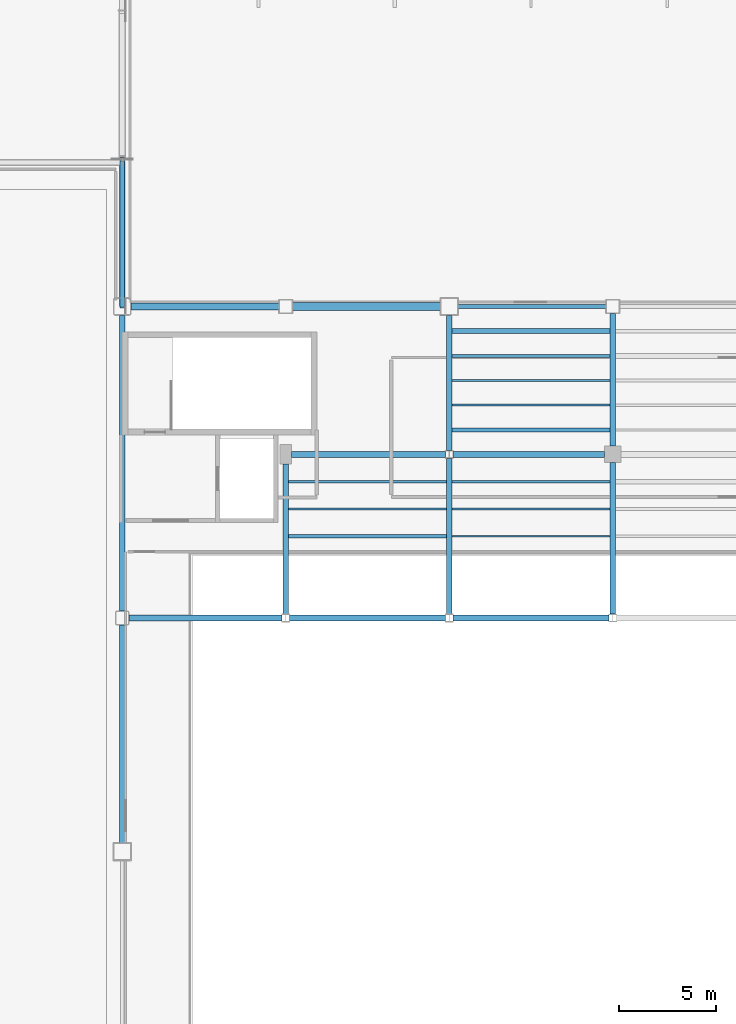
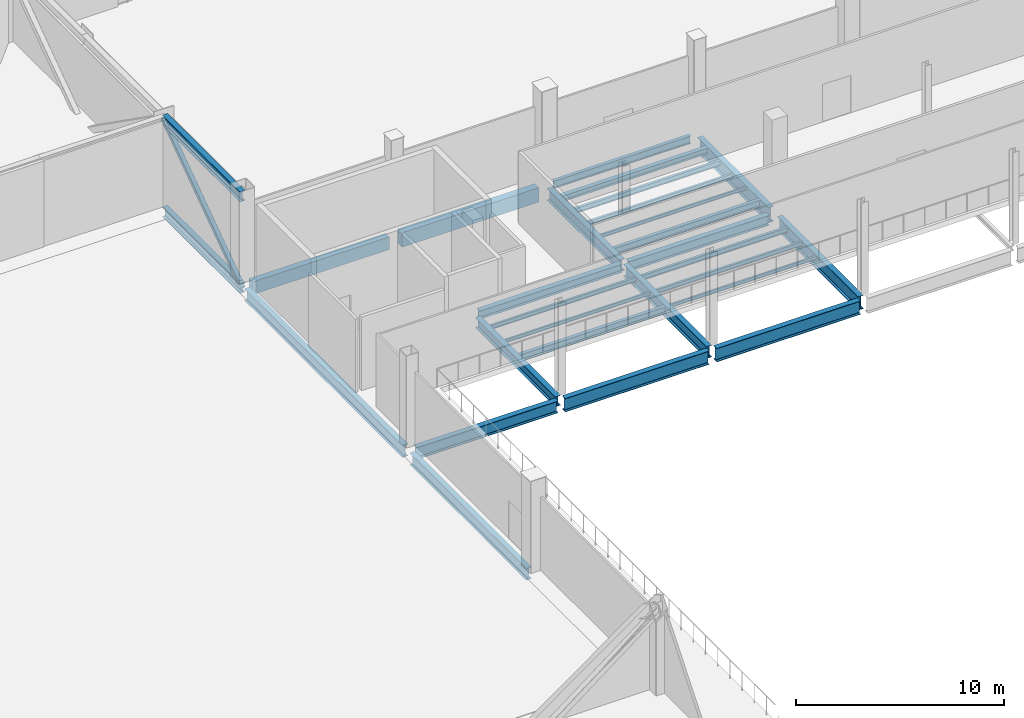
# One storey, part 21 of 135: 28 beams, 1 member.
"""IFC4 building model written with IfcOpenShell, lengths in metres."""

from ifc_helpers import new_model, si_unit, direction, frame, origin, origin_2d, place, context, subcontext, project, spatial, rectangle, hollow_rectangle, i_section, extrude, material, material_profile, profile_set, type_object, element, save


model = new_model("IFC4")

# Units and contexts
model_context = context("Model", 3, precision=1e-05, world=origin(), true_north=direction((0.0, 1.0)))
body_context = subcontext(model_context, "Body", "Model", "MODEL_VIEW")
ifc_project = project(units=[si_unit("LENGTHUNIT", "METRE"), si_unit("AREAUNIT", "SQUARE_METRE"), si_unit("VOLUMEUNIT", "CUBIC_METRE"), si_unit("PLANEANGLEUNIT", "RADIAN"), si_unit("MASSUNIT", "GRAM", prefix="KILO")], contexts=[model_context])

# Site, building, storey
site_placement = place(None, origin())
site = spatial("IfcSite", under=ifc_project, at=site_placement, CompositionType="ELEMENT")
building_placement = place(site_placement, origin())
building = spatial("IfcBuilding", under=site, at=building_placement, Name="Larkvane Passage Sports Hall", CompositionType="ELEMENT")
storey_placement = place(building_placement, frame((0.0, 0.0, 16.800048828125)))
storey = spatial("IfcBuildingStorey", under=building, at=storey_placement, Name="L03", CompositionType="ELEMENT", Elevation=16.800048828125)

# Beams
ifc_material_1 = material(Name="Steel S355JR", Category="steel")
ifc_material_profile_1 = material_profile(ifc_material_1, i_section(OverallWidth=0.300048828125, OverallDepth=0.488037109375, WebThickness=0.010986328125, FlangeThickness=0.01806640625, FilletRadius=0.02197265625, at=origin_2d()), Name="H-488x300x11x18")
ifc_profile_set_1 = profile_set([ifc_material_profile_1], Name="Steel S355JR")
beam_type_1 = type_object("IfcBeamType", Name="BM-STL-H488", PredefinedType="BEAM", material=ifc_profile_set_1)
beam_1_placement = place(storey_placement, frame((43.5, 84.0, -0.583984375), z_axis=(1.0, 0.0, 0.0), x_axis=(0.0, 1.0, 0.0)))
element("IfcBeam", 1, at=beam_1_placement, inside=storey, type_object=beam_type_1, Name="Girder BM5-X-L03-K-1005", PredefinedType="BEAM", context=body_context, shape_type="SweptSolid", body=[
    extrude(i_section(OverallWidth=0.300048828125, OverallDepth=0.488037109375, WebThickness=0.010986328125, FlangeThickness=0.01806640625, FilletRadius=0.02197265625, at=origin_2d()), origin(), (0.0, 0.0, 1.0), 7.89990234375),
])
ifc_material_2 = material(Name="Steel S460N", Category="steel")
ifc_material_profile_2 = material_profile(ifc_material_2, i_section(OverallWidth=0.300048828125, OverallDepth=0.58203125, WebThickness=0.011962890625, FlangeThickness=0.01708984375, FilletRadius=0.02197265625, at=origin_2d()), Name="H-582x300x12x17")
ifc_profile_set_2 = profile_set([ifc_material_profile_2], Name="Steel S460N")
beam_type_2 = type_object("IfcBeamType", Name="BM-STL-H582", PredefinedType="BEAM", material=ifc_profile_set_2)
beam_2_placement = place(storey_placement, frame((51.800048828125, 84.0, -0.631103515625), z_axis=(1.0, 0.0, 0.0), x_axis=(0.0, 1.0, 0.0)))
element("IfcBeam", 2, at=beam_2_placement, inside=storey, type_object=beam_type_2, Name="Girder BM5-X-L03-K-1006", PredefinedType="BEAM", context=body_context, shape_type="SweptSolid", body=[
    extrude(i_section(OverallWidth=0.300048828125, OverallDepth=0.58203125, WebThickness=0.011962890625, FlangeThickness=0.01708984375, FilletRadius=0.02197265625, at=origin_2d()), origin(), (0.0, 0.0, 1.0), 7.77490234375),
])
ifc_material_profile_3 = material_profile(ifc_material_2, i_section(OverallWidth=0.300048828125, OverallDepth=0.587890625, WebThickness=0.011962890625, FlangeThickness=0.02001953125, FilletRadius=0.02197265625, at=origin_2d()), Name="H-588x300x12x20")
ifc_profile_set_3 = profile_set([ifc_material_profile_3], Name="Steel S460N")
beam_type_3 = type_object("IfcBeamType", Name="BM-STL-H588", PredefinedType="BEAM", material=ifc_profile_set_3)
beam_3_placement = place(storey_placement, frame((43.199951171875, 75.81396484375, -0.634033203125), z_axis=(0.0, 1.0, 0.0), x_axis=(-1.0, 0.0, 0.0)))
element("IfcBeam", 3, at=beam_3_placement, inside=storey, type_object=beam_type_3, Name="Girder BM5-Y-L03-7-1020", PredefinedType="BEAM", context=body_context, shape_type="SweptSolid", body=[
    extrude(i_section(OverallWidth=0.300048828125, OverallDepth=0.587890625, WebThickness=0.011962890625, FlangeThickness=0.02001953125, FilletRadius=0.02197265625, at=origin_2d()), origin(), (0.0, 0.0, 1.0), 7.68603515625),
])
for number, where, z_axis, x_axis, name in (
    (4, (34.800048828125, 91.60009765625, -0.614013671875), (0.0, 1.0, 0.0), (-1.0, 0.0, 0.0), "Cantilever truss CT-N3A-1 bottom chord 1"),
    (5, (34.800048828125, 91.60009765625, 4.755859375), (0.0, 1.0, 0.0), (-1.0, 0.0, 0.0), "Cantilever truss CT-N3A-1 top chord 1"),
):
    element("IfcBeam", number, at=place(storey_placement, frame(where, z_axis=z_axis, x_axis=x_axis)), inside=storey, type_object=beam_type_3, Name=name, PredefinedType="BEAM", context=body_context, shape_type="SweptSolid", body=[
        extrude(i_section(OverallWidth=0.300048828125, OverallDepth=0.587890625, WebThickness=0.011962890625, FlangeThickness=0.02001953125, FilletRadius=0.02197265625, at=origin_2d()), origin(), (0.0, 0.0, 1.0), 7.44482421875),
    ])
ifc_material_profile_4 = material_profile(ifc_material_2, i_section(OverallWidth=0.300048828125, OverallDepth=0.69189453125, WebThickness=0.012939453125, FlangeThickness=0.02001953125, FilletRadius=0.02197265625, at=origin_2d()), Name="H-692x300x13x20")
ifc_profile_set_4 = profile_set([ifc_material_profile_4], Name="Steel S460N")
beam_type_4 = type_object("IfcBeamType", Name="BM-STL-H692", PredefinedType="BEAM", material=ifc_profile_set_4)
beam_4_placement = place(storey_placement, frame((34.800048828125, 64.050048828125, -0.68603515625), z_axis=(0.0, 1.0, 0.0), x_axis=(-1.0, 0.0, 0.0)))
element("IfcBeam", 6, at=beam_4_placement, inside=storey, type_object=beam_type_4, Name="Girder BM5-Y-L03-6-1018", PredefinedType="BEAM", context=body_context, shape_type="SweptSolid", body=[
    extrude(i_section(OverallWidth=0.300048828125, OverallDepth=0.69189453125, WebThickness=0.012939453125, FlangeThickness=0.02001953125, FilletRadius=0.02197265625, at=origin_2d()), origin(), (0.0, 0.0, 1.0), 11.199951171875),
])
beam_5_placement = place(storey_placement, frame((51.60009765625, 75.806884765625, -0.68603515625), z_axis=(0.0, 1.0, 0.0), x_axis=(-1.0, 0.0, 0.0)))
element("IfcBeam", 7, at=beam_5_placement, inside=storey, type_object=beam_type_4, Name="Girder BM5-Y-L03-8-1022", PredefinedType="BEAM", context=body_context, shape_type="SweptSolid", body=[
    extrude(i_section(OverallWidth=0.300048828125, OverallDepth=0.69189453125, WebThickness=0.012939453125, FlangeThickness=0.02001953125, FilletRadius=0.02197265625, at=origin_2d()), origin(), (0.0, 0.0, 1.0), 7.9931640625),
])
ifc_material_profile_5 = material_profile(ifc_material_2, i_section(OverallWidth=0.300048828125, OverallDepth=0.699951171875, WebThickness=0.012939453125, FlangeThickness=0.02392578125, FilletRadius=0.02197265625, at=origin_2d()), Name="H-700x300x13x24")
ifc_profile_set_5 = profile_set([ifc_material_profile_5], Name="Steel S460N")
beam_type_5 = type_object("IfcBeamType", Name="BM-STL-H700", PredefinedType="BEAM", material=ifc_profile_set_5)
beam_6_placement = place(storey_placement, frame((35.14990234375, 75.60009765625, -0.68994140625), z_axis=(1.0, 0.0, 0.0), x_axis=(0.0, 1.0, 0.0)))
element("IfcBeam", 8, at=beam_6_placement, inside=storey, type_object=beam_type_5, Name="Girder BM5-X-L03-J-0997", PredefinedType="BEAM", context=body_context, shape_type="SweptSolid", body=[
    extrude(i_section(OverallWidth=0.300048828125, OverallDepth=0.699951171875, WebThickness=0.012939453125, FlangeThickness=0.02392578125, FilletRadius=0.02197265625, at=origin_2d()), origin(), (0.0, 0.0, 1.0), 7.8466796875),
])
beam_7_placement = place(storey_placement, frame((34.800048828125, 75.949951171875, -0.68994140625), z_axis=(0.0, 1.0, 0.0), x_axis=(-1.0, 0.0, 0.0)))
element("IfcBeam", 9, at=beam_7_placement, inside=storey, type_object=beam_type_5, Name="Girder BM5-Y-L03-6-1019", PredefinedType="BEAM", context=body_context, shape_type="SweptSolid", body=[
    extrude(i_section(OverallWidth=0.300048828125, OverallDepth=0.699951171875, WebThickness=0.012939453125, FlangeThickness=0.02392578125, FilletRadius=0.02197265625, at=origin_2d()), origin(), (0.0, 0.0, 1.0), 15.199951171875),
])
beam_8_placement = place(storey_placement, frame((51.60009765625, 84.199951171875, -0.68994140625), z_axis=(0.0, 1.0, 0.0), x_axis=(-1.0, 0.0, 0.0)))
element("IfcBeam", 10, at=beam_8_placement, inside=storey, type_object=beam_type_5, Name="Girder BM5-Y-L03-8-1023", PredefinedType="BEAM", context=body_context, shape_type="SweptSolid", body=[
    extrude(i_section(OverallWidth=0.300048828125, OverallDepth=0.699951171875, WebThickness=0.012939453125, FlangeThickness=0.02392578125, FilletRadius=0.02197265625, at=origin_2d()), origin(), (0.0, 0.0, 1.0), 6.949951171875),
])
ifc_material_profile_6 = material_profile(ifc_material_2, i_section(OverallWidth=0.300048828125, OverallDepth=0.7919921875, WebThickness=0.013916015625, FlangeThickness=0.02197265625, FilletRadius=0.02197265625, at=origin_2d()), Name="H-792x300x14x22")
ifc_profile_set_6 = profile_set([ifc_material_profile_6], Name="Steel S460N")
beam_type_6 = type_object("IfcBeamType", Name="BM-STL-H792", PredefinedType="BEAM", material=ifc_profile_set_6)
beam_9_placement = place(storey_placement, frame((43.403564453125, 75.60009765625, -0.736083984375), z_axis=(1.0, 0.0, 0.0), x_axis=(0.0, 1.0, 0.0)))
element("IfcBeam", 11, at=beam_9_placement, inside=storey, type_object=beam_type_6, Name="Girder BM5-X-L03-J-0998", PredefinedType="BEAM", context=body_context, shape_type="SweptSolid", body=[
    extrude(i_section(OverallWidth=0.300048828125, OverallDepth=0.7919921875, WebThickness=0.013916015625, FlangeThickness=0.02197265625, FilletRadius=0.02197265625, at=origin_2d()), origin(), (0.0, 0.0, 1.0), 7.993896484375),
])
ifc_material_profile_7 = material_profile(ifc_material_2, i_section(OverallWidth=0.300048828125, OverallDepth=0.800048828125, WebThickness=0.013916015625, FlangeThickness=0.02587890625, FilletRadius=0.02197265625, at=origin_2d()), Name="H-800x300x14x26")
ifc_profile_set_7 = profile_set([ifc_material_profile_7], Name="Steel S460N")
beam_type_7 = type_object("IfcBeamType", Name="BM-STL-H800", PredefinedType="BEAM", material=ifc_profile_set_7)
beam_10_placement = place(storey_placement, frame((51.802490234375, 75.60009765625, -0.739990234375), z_axis=(1.0, 0.0, 0.0), x_axis=(0.0, 1.0, 0.0)))
element("IfcBeam", 12, at=beam_10_placement, inside=storey, type_object=beam_type_7, Name="Girder BM5-X-L03-J-0999", PredefinedType="BEAM", context=body_context, shape_type="SweptSolid", body=[
    extrude(i_section(OverallWidth=0.300048828125, OverallDepth=0.800048828125, WebThickness=0.013916015625, FlangeThickness=0.02587890625, FilletRadius=0.02197265625, at=origin_2d()), origin(), (0.0, 0.0, 1.0), 7.99755859375),
])
beam_11_placement = place(storey_placement, frame((60.0, 75.800048828125, -0.739990234375), z_axis=(0.0, 1.0, 0.0), x_axis=(-1.0, 0.0, 0.0)))
element("IfcBeam", 13, at=beam_11_placement, inside=storey, type_object=beam_type_7, Name="Girder BM5-Y-L03-9-1025", PredefinedType="BEAM", context=body_context, shape_type="SweptSolid", body=[
    extrude(i_section(OverallWidth=0.300048828125, OverallDepth=0.800048828125, WebThickness=0.013916015625, FlangeThickness=0.02587890625, FilletRadius=0.02197265625, at=origin_2d()), origin(), (0.0, 0.0, 1.0), 7.77490234375),
])
ifc_material_profile_8 = material_profile(ifc_material_2, i_section(OverallWidth=0.299072265625, OverallDepth=0.889892578125, WebThickness=0.014892578125, FlangeThickness=0.02294921875, FilletRadius=0.02197265625, at=origin_2d()), Name="H-890x299x15x23")
ifc_profile_set_8 = profile_set([ifc_material_profile_8], Name="Steel S460N")
beam_type_8 = type_object("IfcBeamType", Name="BM-STL-H890", PredefinedType="BEAM", material=ifc_profile_set_8)
beam_12_placement = place(storey_placement, frame((60.0, 84.425048828125, -0.78515625), z_axis=(0.0, 1.0, 0.0), x_axis=(-1.0, 0.0, 0.0)))
element("IfcBeam", 14, at=beam_12_placement, inside=storey, type_object=beam_type_8, Name="Girder BM5-Y-L03-9-1026", PredefinedType="BEAM", context=body_context, shape_type="SweptSolid", body=[
    extrude(i_section(OverallWidth=0.299072265625, OverallDepth=0.889892578125, WebThickness=0.014892578125, FlangeThickness=0.02294921875, FilletRadius=0.02197265625, at=origin_2d()), origin(), (0.0, 0.0, 1.0), 6.824951171875),
])
ifc_material_profile_9 = material_profile(ifc_material_1, i_section(OverallWidth=0.10009765625, OverallDepth=0.199951171875, WebThickness=0.005615234375, FlangeThickness=0.008056640625, FilletRadius=0.008056640625, at=origin_2d()), Name="H-200x100x5.5x8")
ifc_profile_set_9 = profile_set([ifc_material_profile_9], Name="Steel S355JR")
beam_type_9 = type_object("IfcBeamType", Name="JST-STL-H200", PredefinedType="JOIST", material=ifc_profile_set_9)
beam_13_placement = place(storey_placement, frame((43.35009765625, 81.199951171875, -0.43994140625), z_axis=(1.0, 0.0, 0.0), x_axis=(0.0, 1.0, 0.0)))
element("IfcBeam", 15, at=beam_13_placement, inside=storey, type_object=beam_type_9, Name="Composite joist L03 7/J-4", PredefinedType="JOIST", context=body_context, shape_type="SweptSolid", body=[
    extrude(i_section(OverallWidth=0.10009765625, OverallDepth=0.199951171875, WebThickness=0.005615234375, FlangeThickness=0.008056640625, FilletRadius=0.008056640625, at=origin_2d()), origin(), (0.0, 0.0, 1.0), 8.099853515625),
])
beam_14_placement = place(storey_placement, frame((51.75, 79.800048828125, -0.43994140625), z_axis=(1.0, 0.0, 0.0), x_axis=(0.0, 1.0, 0.0)))
element("IfcBeam", 16, at=beam_14_placement, inside=storey, type_object=beam_type_9, Name="Composite joist L03 8/J-3", PredefinedType="JOIST", context=body_context, shape_type="SweptSolid", body=[
    extrude(i_section(OverallWidth=0.10009765625, OverallDepth=0.199951171875, WebThickness=0.005615234375, FlangeThickness=0.008056640625, FilletRadius=0.008056640625, at=origin_2d()), origin(), (0.0, 0.0, 1.0), 8.10009765625),
])
beam_15_placement = place(storey_placement, frame((51.75, 86.533447265625, -0.43994140625), z_axis=(1.0, 0.0, 0.0), x_axis=(0.0, 1.0, 0.0)))
element("IfcBeam", 17, at=beam_15_placement, inside=storey, type_object=beam_type_9, Name="Composite joist L03 8/K-2", PredefinedType="JOIST", context=body_context, shape_type="SweptSolid", body=[
    extrude(i_section(OverallWidth=0.10009765625, OverallDepth=0.199951171875, WebThickness=0.005615234375, FlangeThickness=0.008056640625, FilletRadius=0.008056640625, at=origin_2d()), origin(), (0.0, 0.0, 1.0), 8.1005859375),
])
ifc_material_profile_10 = material_profile(ifc_material_1, i_section(OverallWidth=0.125, OverallDepth=0.25, WebThickness=0.006103515625, FlangeThickness=0.009033203125, FilletRadius=0.008056640625, at=origin_2d()), Name="H-250x125x6x9")
ifc_profile_set_10 = profile_set([ifc_material_profile_10], Name="Steel S355JR")
beam_type_10 = type_object("IfcBeamType", Name="JST-STL-H250", PredefinedType="JOIST", material=ifc_profile_set_10)
beam_16_placement = place(storey_placement, frame((43.35009765625, 82.60009765625, -0.465087890625), z_axis=(1.0, 0.0, 0.0), x_axis=(0.0, 1.0, 0.0)))
element("IfcBeam", 18, at=beam_16_placement, inside=storey, type_object=beam_type_10, Name="Composite joist L03 7/J-5", PredefinedType="JOIST", context=body_context, shape_type="SweptSolid", body=[
    extrude(i_section(OverallWidth=0.125, OverallDepth=0.25, WebThickness=0.006103515625, FlangeThickness=0.009033203125, FilletRadius=0.008056640625, at=origin_2d()), origin(), (0.0, 0.0, 1.0), 8.099853515625),
])
beam_17_placement = place(storey_placement, frame((51.75, 81.199951171875, -0.465087890625), z_axis=(1.0, 0.0, 0.0), x_axis=(0.0, 1.0, 0.0)))
element("IfcBeam", 19, at=beam_17_placement, inside=storey, type_object=beam_type_10, Name="Composite joist L03 8/J-4", PredefinedType="JOIST", context=body_context, shape_type="SweptSolid", body=[
    extrude(i_section(OverallWidth=0.125, OverallDepth=0.25, WebThickness=0.006103515625, FlangeThickness=0.009033203125, FilletRadius=0.008056640625, at=origin_2d()), origin(), (0.0, 0.0, 1.0), 8.10009765625),
])
beam_18_placement = place(storey_placement, frame((51.75, 87.800048828125, -0.465087890625), z_axis=(1.0, 0.0, 0.0), x_axis=(0.0, 1.0, 0.0)))
element("IfcBeam", 20, at=beam_18_placement, inside=storey, type_object=beam_type_10, Name="Composite joist L03 8/K-3", PredefinedType="JOIST", context=body_context, shape_type="SweptSolid", body=[
    extrude(i_section(OverallWidth=0.125, OverallDepth=0.25, WebThickness=0.006103515625, FlangeThickness=0.009033203125, FilletRadius=0.008056640625, at=origin_2d()), origin(), (0.0, 0.0, 1.0), 8.1005859375),
])
ifc_material_profile_11 = material_profile(ifc_material_1, i_section(OverallWidth=0.14990234375, OverallDepth=0.300048828125, WebThickness=0.006591796875, FlangeThickness=0.009033203125, FilletRadius=0.012939453125, at=origin_2d()), Name="H-300x150x6.5x9")
ifc_profile_set_11 = profile_set([ifc_material_profile_11], Name="Steel S355JR")
beam_type_11 = type_object("IfcBeamType", Name="JST-STL-H300", PredefinedType="JOIST", material=ifc_profile_set_11)
beam_19_placement = place(storey_placement, frame((51.75, 82.60009765625, -0.489990234375), z_axis=(1.0, 0.0, 0.0), x_axis=(0.0, 1.0, 0.0)))
element("IfcBeam", 21, at=beam_19_placement, inside=storey, type_object=beam_type_11, Name="Composite joist L03 8/J-5", PredefinedType="JOIST", context=body_context, shape_type="SweptSolid", body=[
    extrude(i_section(OverallWidth=0.14990234375, OverallDepth=0.300048828125, WebThickness=0.006591796875, FlangeThickness=0.009033203125, FilletRadius=0.012939453125, at=origin_2d()), origin(), (0.0, 0.0, 1.0), 8.10009765625),
])
beam_20_placement = place(storey_placement, frame((51.75, 89.066650390625, -0.489990234375), z_axis=(1.0, 0.0, 0.0), x_axis=(0.0, 1.0, 0.0)))
element("IfcBeam", 22, at=beam_20_placement, inside=storey, type_object=beam_type_11, Name="Composite joist L03 8/K-4", PredefinedType="JOIST", context=body_context, shape_type="SweptSolid", body=[
    extrude(i_section(OverallWidth=0.14990234375, OverallDepth=0.300048828125, WebThickness=0.006591796875, FlangeThickness=0.009033203125, FilletRadius=0.012939453125, at=origin_2d()), origin(), (0.0, 0.0, 1.0), 8.1005859375),
])
ifc_material_profile_12 = material_profile(ifc_material_1, i_section(OverallWidth=0.25, OverallDepth=0.340087890625, WebThickness=0.009033203125, FlangeThickness=0.013916015625, FilletRadius=0.012939453125, at=origin_2d()), Name="H-340x250x9x14")
ifc_profile_set_12 = profile_set([ifc_material_profile_12], Name="Steel S355JR")
beam_type_12 = type_object("IfcBeamType", Name="JST-STL-H340", PredefinedType="JOIST", material=ifc_profile_set_12)
beam_21_placement = place(storey_placement, frame((51.75, 90.333251953125, -0.510009765625), z_axis=(1.0, 0.0, 0.0), x_axis=(0.0, 1.0, 0.0)))
element("IfcBeam", 23, at=beam_21_placement, inside=storey, type_object=beam_type_12, Name="Composite joist L03 8/K-5", PredefinedType="JOIST", context=body_context, shape_type="SweptSolid", body=[
    extrude(i_section(OverallWidth=0.25, OverallDepth=0.340087890625, WebThickness=0.009033203125, FlangeThickness=0.013916015625, FilletRadius=0.012939453125, at=origin_2d()), origin(), (0.0, 0.0, 1.0), 8.1005859375),
])
ifc_material_profile_13 = material_profile(ifc_material_1, i_section(OverallWidth=0.199951171875, OverallDepth=0.39990234375, WebThickness=0.008056640625, FlangeThickness=0.012939453125, FilletRadius=0.012939453125, at=origin_2d()), Name="H-400x200x8x13")
ifc_profile_set_13 = profile_set([ifc_material_profile_13], Name="Steel S355JR")
beam_type_13 = type_object("IfcBeamType", Name="JST-STL-H400", PredefinedType="JOIST", material=ifc_profile_set_13)
beam_22_placement = place(storey_placement, frame((43.35009765625, 79.800048828125, -0.5400390625), z_axis=(1.0, 0.0, 0.0), x_axis=(0.0, 1.0, 0.0)))
element("IfcBeam", 24, at=beam_22_placement, inside=storey, type_object=beam_type_13, Name="Composite joist L03 7/J-3", PredefinedType="JOIST", context=body_context, shape_type="SweptSolid", body=[
    extrude(i_section(OverallWidth=0.199951171875, OverallDepth=0.39990234375, WebThickness=0.008056640625, FlangeThickness=0.012939453125, FilletRadius=0.012939453125, at=origin_2d()), origin(), (0.0, 0.0, 1.0), 8.099853515625),
])
beam_23_placement = place(storey_placement, frame((51.75, 85.2666015625, -0.5400390625), z_axis=(1.0, 0.0, 0.0), x_axis=(0.0, 1.0, 0.0)))
element("IfcBeam", 25, at=beam_23_placement, inside=storey, type_object=beam_type_13, Name="Composite joist L03 8/K-1", PredefinedType="JOIST", context=body_context, shape_type="SweptSolid", body=[
    extrude(i_section(OverallWidth=0.199951171875, OverallDepth=0.39990234375, WebThickness=0.008056640625, FlangeThickness=0.012939453125, FilletRadius=0.012939453125, at=origin_2d()), origin(), (0.0, 0.0, 1.0), 8.1005859375),
])

# Member
ifc_material_profile_14 = material_profile(ifc_material_2, hollow_rectangle(XDim=0.25, YDim=0.25, WallThickness=0.011962890625, InnerFilletRadius=0.011962890625, OuterFilletRadius=0.02392578125, at=origin_2d()), Name="SHS-250x250x12")
ifc_profile_set_14 = profile_set([ifc_material_profile_14], Name="Steel S460N")
member_type = type_object("IfcMemberType", Name="MBR-BR-SHS250", PredefinedType="BRACE", material=ifc_profile_set_14)
member_placement = place(storey_placement, frame((34.800048828125, 91.60009765625, -0.614013671875), z_axis=(0.0, 0.816700931894, 0.577061164734), x_axis=(-1.0, 0.0, 0.0)))
element("IfcMember", 26, at=member_placement, inside=storey, type_object=member_type, Name="Cantilever truss CT-N3A-1 web diagonal 1", PredefinedType="BRACE", context=body_context, shape_type="SweptSolid", body=[
    extrude(hollow_rectangle(XDim=0.25, YDim=0.25, WallThickness=0.011962890625, InnerFilletRadius=0.011962890625, OuterFilletRadius=0.02392578125, at=origin_2d()), origin(), (0.0, 0.0, 1.0), 9.3056640625),
])

# Beams
ifc_material_3 = material(Name="Concrete C40/50", Category="concrete")
ifc_material_profile_15 = material_profile(ifc_material_3, rectangle(XDim=0.35009765625, YDim=0.75, at=origin_2d()), Name="RC-SP-350x750")
ifc_profile_set_15 = profile_set([ifc_material_profile_15], Name="Concrete C40/50")
beam_type_14 = type_object("IfcBeamType", Name="SP-RC-350x750", PredefinedType="SPANDREL", material=ifc_profile_set_15)
beam_24_placement = place(storey_placement, frame((35.25, 91.60009765625, -0.715087890625), z_axis=(1.0, 0.0, 0.0), x_axis=(0.0, 1.0, 0.0)))
element("IfcBeam", 27, at=beam_24_placement, inside=storey, type_object=beam_type_14, Name="Girder BM5-X-L03-L-1009", PredefinedType="SPANDREL", context=body_context, shape_type="SweptSolid", body=[
    extrude(rectangle(XDim=0.35009765625, YDim=0.75, at=origin_2d()), origin(), (0.0, 0.0, 1.0), 7.60009765625),
])
ifc_material_profile_16 = material_profile(ifc_material_3, rectangle(XDim=0.39990234375, YDim=0.85009765625, at=origin_2d()), Name="RC-SP-400x850")
ifc_profile_set_16 = profile_set([ifc_material_profile_16], Name="Concrete C40/50")
beam_type_15 = type_object("IfcBeamType", Name="SP-RC-400x850", PredefinedType="SPANDREL", material=ifc_profile_set_16)
beam_25_placement = place(storey_placement, frame((43.550048828125, 91.60009765625, -0.76513671875), z_axis=(1.0, 0.0, 0.0), x_axis=(0.0, 1.0, 0.0)))
element("IfcBeam", 28, at=beam_25_placement, inside=storey, type_object=beam_type_15, Name="Girder BM5-X-L03-L-1010", PredefinedType="SPANDREL", context=body_context, shape_type="SweptSolid", body=[
    extrude(rectangle(XDim=0.39990234375, YDim=0.85009765625, at=origin_2d()), origin(), (0.0, 0.0, 1.0), 7.599853515625),
])
ifc_material_profile_17 = material_profile(ifc_material_1, i_section(OverallWidth=0.199951171875, OverallDepth=0.449951171875, WebThickness=0.009033203125, FlangeThickness=0.013916015625, FilletRadius=0.01806640625, at=origin_2d()), Name="H-450x200x9x14")
ifc_profile_set_17 = profile_set([ifc_material_profile_17], Name="Steel S355JR")
beam_type_16 = type_object("IfcBeamType", Name="SP-STL-H450", PredefinedType="SPANDREL", material=ifc_profile_set_17)
beam_26_placement = place(storey_placement, frame((52.050048828125, 91.60009765625, -0.56494140625), z_axis=(1.0, 0.0, 0.0), x_axis=(0.0, 1.0, 0.0)))
element("IfcBeam", 29, at=beam_26_placement, inside=storey, type_object=beam_type_16, Name="Girder BM5-X-L03-L-1011", PredefinedType="SPANDREL", context=body_context, shape_type="SweptSolid", body=[
    extrude(i_section(OverallWidth=0.199951171875, OverallDepth=0.449951171875, WebThickness=0.009033203125, FlangeThickness=0.013916015625, FilletRadius=0.01806640625, at=origin_2d()), origin(), (0.0, 0.0, 1.0), 7.599853515625),
])

save(model, "model.ifc")
